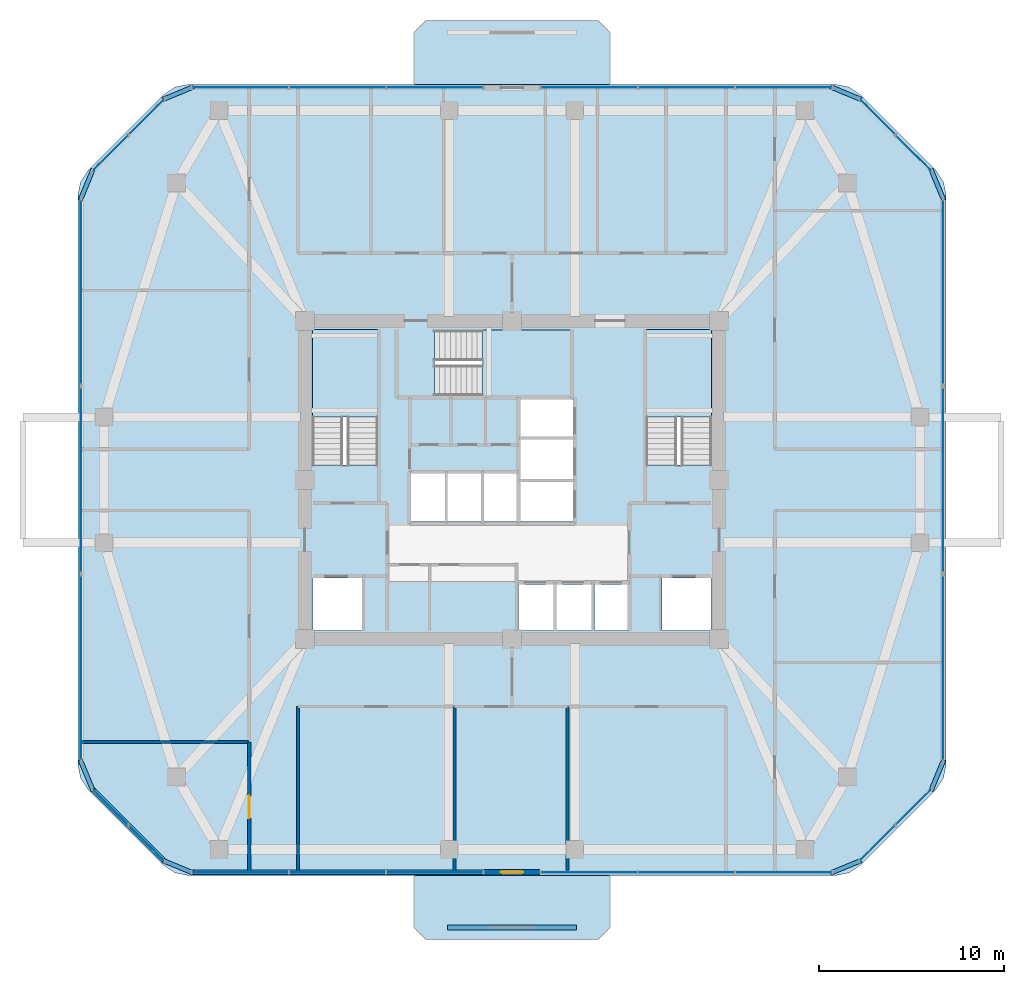
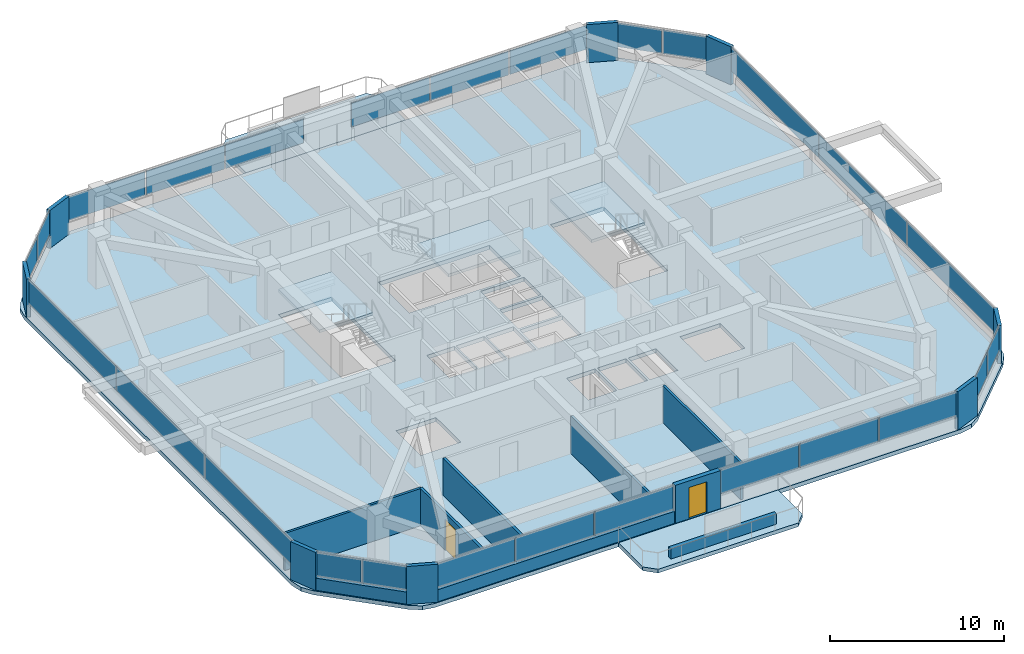
# One storey, part 6 of 12: 34 plates, 9 walls, 6 slabs, 2 doors, 2 openings, 13 elements without a shape of their own.
"""IFC4 building model written with IfcOpenShell, lengths in metres."""

from ifc_helpers import new_model, si_unit, derived_unit, direction, frame, frame_2d, origin, origin_2d, place, context, subcontext, project, spatial, polyline, rectangle, outline, extrude, material, layer, layer_set, type_object, element, fill, aggregate, save


model = new_model("IFC4")

# Units and contexts
model_context = context("Model", 3, precision=1e-05, world=origin(), true_north=direction((0.0, 1.0)))
body_context = subcontext(model_context, "Body", "Model", "MODEL_VIEW")
ifc_project = project(units=[si_unit("LENGTHUNIT", "METRE"), si_unit("AREAUNIT", "SQUARE_METRE"), si_unit("VOLUMEUNIT", "CUBIC_METRE"), si_unit("PLANEANGLEUNIT", "RADIAN"), si_unit("MASSUNIT", "GRAM", prefix="KILO"), derived_unit("THERMALTRANSMITTANCEUNIT", [(si_unit("POWERUNIT", "WATT"), 1), (si_unit("LENGTHUNIT", "METRE"), -2), (si_unit("THERMODYNAMICTEMPERATUREUNIT", "KELVIN"), -1)])], contexts=[model_context])

# Site, building, storey
site_placement = place(None, origin())
site = spatial("IfcSite", under=ifc_project, at=site_placement, CompositionType="ELEMENT")
building_placement = place(site_placement, origin())
building = spatial("IfcBuilding", under=site, at=building_placement, Name="Koralith Skygarden Medical Center", CompositionType="ELEMENT")
storey_placement = place(building_placement, frame((0.0, 0.0, 152.820068359375)))
storey = spatial("IfcBuildingStorey", under=building, at=storey_placement, Name="L39", CompositionType="ELEMENT", Elevation=152.820068359375)

# Curtain wall, plates
ifc_material_1 = material(Name="Clear Laminated Glass", Category="glass")
curtain_wall_type = type_object("IfcCurtainWallType", Name="CW-4 Zone 3 Waist High-Wind Curtain Wall", PredefinedType="NOTDEFINED", material=ifc_material_1)
curtain_wall_1_placement = place(storey_placement, origin())
curtain_wall_1 = element("IfcCurtainWall", 1, at=curtain_wall_1_placement, inside=storey, type_object=curtain_wall_type, Name="Curtain Wall CW-L39-S-L", PredefinedType="NOTDEFINED")
ifc_layer_1 = layer(ifc_material_1, 0.035888671875)
ifc_layer_set_1 = layer_set([ifc_layer_1], Name="Clear Laminated Glass")
plate_type_1 = type_object("IfcPlateType", Name="CW-4 Hurricane Laminated IGU Panel 36", PredefinedType="CURTAIN_PANEL", material=ifc_layer_set_1)
plate_1_placement = place(storey_placement, frame((22.302001953125, 4.679931640625, 0.919921875), z_axis=(0.0, 0.0, 1.0), x_axis=(1.0, 0.0, 0.0)))
plate_1 = element("IfcPlate", 2, at=plate_1_placement, type_object=plate_type_1, Name="CW-L39-S-L Glazed Panel 1", PredefinedType="CURTAIN_PANEL", context=body_context, shape_type="SweptSolid", body=[
    extrude(rectangle(XDim=5.173095703125, YDim=0.035888671875, at=origin_2d()), origin(), (0.0, 0.0, 1.0), 1.679931640625),
])
plate_2_placement = place(storey_placement, frame((27.56494140625, 4.679931640625, 0.919921875), z_axis=(0.0, 0.0, 1.0), x_axis=(1.0, 0.0, 0.0)))
plate_2 = element("IfcPlate", 3, at=plate_2_placement, type_object=plate_type_1, Name="CW-L39-S-L Glazed Panel 2", PredefinedType="CURTAIN_PANEL", context=body_context, shape_type="SweptSolid", body=[
    extrude(rectangle(XDim=5.173095703125, YDim=0.035888671875, at=origin_2d()), origin(), (0.0, 0.0, 1.0), 1.679931640625),
])
plate_3_placement = place(storey_placement, frame((32.827880859375, 4.679931640625, 0.919921875), z_axis=(0.0, 0.0, 1.0), x_axis=(1.0, 0.0, 0.0)))
plate_3 = element("IfcPlate", 4, at=plate_3_placement, type_object=plate_type_1, Name="CW-L39-S-L Glazed Panel 3", PredefinedType="CURTAIN_PANEL", context=body_context, shape_type="SweptSolid", body=[
    extrude(rectangle(XDim=5.173095703125, YDim=0.035888671875, at=origin_2d()), origin(), (0.0, 0.0, 1.0), 1.679931640625),
])
aggregate(curtain_wall_1, [plate_1, plate_2, plate_3])

curtain_wall_2_placement = place(storey_placement, origin())
curtain_wall_2 = element("IfcCurtainWall", 5, at=curtain_wall_2_placement, inside=storey, type_object=curtain_wall_type, Name="Curtain Wall CW-L39-S-R", PredefinedType="NOTDEFINED")
plate_4_placement = place(storey_placement, frame((41.1708984375, 4.679931640625, 0.919921875), z_axis=(0.0, 0.0, 1.0), x_axis=(1.0, 0.0, 0.0)))
plate_4 = element("IfcPlate", 6, at=plate_4_placement, type_object=plate_type_1, Name="CW-L39-S-R Glazed Panel 1", PredefinedType="CURTAIN_PANEL", context=body_context, shape_type="SweptSolid", body=[
    extrude(rectangle(XDim=5.173095703125, YDim=0.035888671875, at=origin_2d()), origin(), (0.0, 0.0, 1.0), 1.679931640625),
])
plate_5_placement = place(storey_placement, frame((46.43408203125, 4.679931640625, 0.919921875), z_axis=(0.0, 0.0, 1.0), x_axis=(1.0, 0.0, 0.0)))
plate_5 = element("IfcPlate", 7, at=plate_5_placement, type_object=plate_type_1, Name="CW-L39-S-R Glazed Panel 2", PredefinedType="CURTAIN_PANEL", context=body_context, shape_type="SweptSolid", body=[
    extrude(rectangle(XDim=5.173095703125, YDim=0.035888671875, at=origin_2d()), origin(), (0.0, 0.0, 1.0), 1.679931640625),
])
plate_6_placement = place(storey_placement, frame((51.697021484375, 4.679931640625, 0.919921875), z_axis=(0.0, 0.0, 1.0), x_axis=(1.0, 0.0, 0.0)))
plate_6 = element("IfcPlate", 8, at=plate_6_placement, type_object=plate_type_1, Name="CW-L39-S-R Glazed Panel 3", PredefinedType="CURTAIN_PANEL", context=body_context, shape_type="SweptSolid", body=[
    extrude(rectangle(XDim=5.173095703125, YDim=0.035888671875, at=origin_2d()), origin(), (0.0, 0.0, 1.0), 1.679931640625),
])
aggregate(curtain_wall_2, [plate_4, plate_5, plate_6])

curtain_wall_3_placement = place(storey_placement, origin())
curtain_wall_3 = element("IfcCurtainWall", 9, at=curtain_wall_3_placement, inside=storey, type_object=curtain_wall_type, Name="Curtain Wall CW-L39-SE", PredefinedType="NOTDEFINED")
plate_7_placement = place(storey_placement, frame((56.760986328125, 6.261962890625, 0.919921875), z_axis=(0.0, 0.0, 1.0), x_axis=(0.707106781187, 0.707106781187, 0.0)))
plate_7 = element("IfcPlate", 10, at=plate_7_placement, type_object=plate_type_1, Name="CW-L39-SE Glazed Panel 1", PredefinedType="CURTAIN_PANEL", context=body_context, shape_type="SweptSolid", body=[
    extrude(rectangle(XDim=2.68408203125, YDim=0.035888671875, at=origin_2d()), origin(), (0.0, 0.0, 1.0), 1.679931640625),
])
plate_8_placement = place(storey_placement, frame((58.721923828125, 8.222900390625, 0.919921875), z_axis=(0.0, 0.0, 1.0), x_axis=(0.707106781187, 0.707106781187, 0.0)))
plate_8 = element("IfcPlate", 11, at=plate_8_placement, type_object=plate_type_1, Name="CW-L39-SE Glazed Panel 2", PredefinedType="CURTAIN_PANEL", context=body_context, shape_type="SweptSolid", body=[
    extrude(rectangle(XDim=2.68408203125, YDim=0.035888671875, at=origin_2d()), origin(), (0.0, 0.0, 1.0), 1.679931640625),
])
aggregate(curtain_wall_3, [plate_7, plate_8])

curtain_wall_4_placement = place(storey_placement, origin())
curtain_wall_4 = element("IfcCurtainWall", 12, at=curtain_wall_4_placement, inside=storey, type_object=curtain_wall_type, Name="Curtain Wall CW-L39-E", PredefinedType="NOTDEFINED")
plate_9_placement = place(storey_placement, frame((60.303955078125, 15.737060546875, 0.919921875), z_axis=(0.0, 0.0, 1.0), x_axis=(0.0, 1.0, 0.0)))
plate_9 = element("IfcPlate", 13, at=plate_9_placement, type_object=plate_type_1, Name="CW-L39-E Glazed Panel 1", PredefinedType="CURTAIN_PANEL", context=body_context, shape_type="SweptSolid", body=[
    extrude(rectangle(XDim=10.072998046875, YDim=0.035888671875, at=origin_2d()), origin(), (0.0, 0.0, 1.0), 1.679931640625),
])
plate_10_placement = place(storey_placement, frame((60.303955078125, 25.89990234375, 0.919921875), z_axis=(0.0, 0.0, 1.0), x_axis=(0.0, 1.0, 0.0)))
plate_10 = element("IfcPlate", 14, at=plate_10_placement, type_object=plate_type_1, Name="CW-L39-E Glazed Panel 2", PredefinedType="CURTAIN_PANEL", context=body_context, shape_type="SweptSolid", body=[
    extrude(rectangle(XDim=10.072998046875, YDim=0.035888671875, at=origin_2d()), origin(), (0.0, 0.0, 1.0), 1.679931640625),
])
plate_11_placement = place(storey_placement, frame((60.303955078125, 36.06298828125, 0.919921875), z_axis=(0.0, 0.0, 1.0), x_axis=(0.0, 1.0, 0.0)))
plate_11 = element("IfcPlate", 15, at=plate_11_placement, type_object=plate_type_1, Name="CW-L39-E Glazed Panel 3", PredefinedType="CURTAIN_PANEL", context=body_context, shape_type="SweptSolid", body=[
    extrude(rectangle(XDim=10.072998046875, YDim=0.035888671875, at=origin_2d()), origin(), (0.0, 0.0, 1.0), 1.679931640625),
])
aggregate(curtain_wall_4, [plate_9, plate_10, plate_11])

curtain_wall_5_placement = place(storey_placement, origin())
curtain_wall_5 = element("IfcCurtainWall", 16, at=curtain_wall_5_placement, inside=storey, type_object=curtain_wall_type, Name="Curtain Wall CW-L39-NE", PredefinedType="NOTDEFINED")
plate_12_placement = place(storey_placement, frame((58.721923828125, 43.576904296875, 0.919921875), z_axis=(0.0, 0.0, 1.0), x_axis=(-0.707106781187, 0.707106781187, 0.0)))
plate_12 = element("IfcPlate", 17, at=plate_12_placement, type_object=plate_type_1, Name="CW-L39-NE Glazed Panel 1", PredefinedType="CURTAIN_PANEL", context=body_context, shape_type="SweptSolid", body=[
    extrude(rectangle(XDim=2.68408203125, YDim=0.035888671875, at=origin_2d()), origin(), (0.0, 0.0, 1.0), 1.679931640625),
])
plate_13_placement = place(storey_placement, frame((56.760986328125, 45.5380859375, 0.919921875), z_axis=(0.0, 0.0, 1.0), x_axis=(-0.707106781187, 0.707106781187, 0.0)))
plate_13 = element("IfcPlate", 18, at=plate_13_placement, type_object=plate_type_1, Name="CW-L39-NE Glazed Panel 2", PredefinedType="CURTAIN_PANEL", context=body_context, shape_type="SweptSolid", body=[
    extrude(rectangle(XDim=2.68408203125, YDim=0.035888671875, at=origin_2d()), origin(), (0.0, 0.0, 1.0), 1.679931640625),
])
aggregate(curtain_wall_5, [plate_12, plate_13])

curtain_wall_6_placement = place(storey_placement, origin())
curtain_wall_6 = element("IfcCurtainWall", 19, at=curtain_wall_6_placement, inside=storey, type_object=curtain_wall_type, Name="Curtain Wall CW-L39-N-L", PredefinedType="NOTDEFINED")
plate_14_placement = place(storey_placement, frame((51.697998046875, 47.1201171875, 0.919921875), z_axis=(0.0, 0.0, 1.0), x_axis=(-1.0, 0.0, 0.0)))
plate_14 = element("IfcPlate", 20, at=plate_14_placement, type_object=plate_type_1, Name="CW-L39-N-L Glazed Panel 1", PredefinedType="CURTAIN_PANEL", context=body_context, shape_type="SweptSolid", body=[
    extrude(rectangle(XDim=5.173095703125, YDim=0.035888671875, at=origin_2d()), origin(), (0.0, 0.0, 1.0), 1.679931640625),
])
plate_15_placement = place(storey_placement, frame((46.43505859375, 47.1201171875, 0.919921875), z_axis=(0.0, 0.0, 1.0), x_axis=(-1.0, 0.0, 0.0)))
plate_15 = element("IfcPlate", 21, at=plate_15_placement, type_object=plate_type_1, Name="CW-L39-N-L Glazed Panel 2", PredefinedType="CURTAIN_PANEL", context=body_context, shape_type="SweptSolid", body=[
    extrude(rectangle(XDim=5.173095703125, YDim=0.035888671875, at=origin_2d()), origin(), (0.0, 0.0, 1.0), 1.679931640625),
])
plate_16_placement = place(storey_placement, frame((41.172119140625, 47.1201171875, 0.919921875), z_axis=(0.0, 0.0, 1.0), x_axis=(-1.0, 0.0, 0.0)))
plate_16 = element("IfcPlate", 22, at=plate_16_placement, type_object=plate_type_1, Name="CW-L39-N-L Glazed Panel 3", PredefinedType="CURTAIN_PANEL", context=body_context, shape_type="SweptSolid", body=[
    extrude(rectangle(XDim=5.173095703125, YDim=0.035888671875, at=origin_2d()), origin(), (0.0, 0.0, 1.0), 1.679931640625),
])
aggregate(curtain_wall_6, [plate_14, plate_15, plate_16])

curtain_wall_7_placement = place(storey_placement, origin())
curtain_wall_7 = element("IfcCurtainWall", 23, at=curtain_wall_7_placement, inside=storey, type_object=curtain_wall_type, Name="Curtain Wall CW-L39-N-R", PredefinedType="NOTDEFINED")
plate_17_placement = place(storey_placement, frame((32.8291015625, 47.1201171875, 0.919921875), z_axis=(0.0, 0.0, 1.0), x_axis=(-1.0, 0.0, 0.0)))
plate_17 = element("IfcPlate", 24, at=plate_17_placement, type_object=plate_type_1, Name="CW-L39-N-R Glazed Panel 1", PredefinedType="CURTAIN_PANEL", context=body_context, shape_type="SweptSolid", body=[
    extrude(rectangle(XDim=5.173095703125, YDim=0.035888671875, at=origin_2d()), origin(), (0.0, 0.0, 1.0), 1.679931640625),
])
plate_18_placement = place(storey_placement, frame((27.56591796875, 47.1201171875, 0.919921875), z_axis=(0.0, 0.0, 1.0), x_axis=(-1.0, 0.0, 0.0)))
plate_18 = element("IfcPlate", 25, at=plate_18_placement, type_object=plate_type_1, Name="CW-L39-N-R Glazed Panel 2", PredefinedType="CURTAIN_PANEL", context=body_context, shape_type="SweptSolid", body=[
    extrude(rectangle(XDim=5.173095703125, YDim=0.035888671875, at=origin_2d()), origin(), (0.0, 0.0, 1.0), 1.679931640625),
])
plate_19_placement = place(storey_placement, frame((22.302978515625, 47.1201171875, 0.919921875), z_axis=(0.0, 0.0, 1.0), x_axis=(-1.0, 0.0, 0.0)))
plate_19 = element("IfcPlate", 26, at=plate_19_placement, type_object=plate_type_1, Name="CW-L39-N-R Glazed Panel 3", PredefinedType="CURTAIN_PANEL", context=body_context, shape_type="SweptSolid", body=[
    extrude(rectangle(XDim=5.173095703125, YDim=0.035888671875, at=origin_2d()), origin(), (0.0, 0.0, 1.0), 1.679931640625),
])
aggregate(curtain_wall_7, [plate_17, plate_18, plate_19])

curtain_wall_8_placement = place(storey_placement, origin())
curtain_wall_8 = element("IfcCurtainWall", 27, at=curtain_wall_8_placement, inside=storey, type_object=curtain_wall_type, Name="Curtain Wall CW-L39-NW", PredefinedType="NOTDEFINED")
plate_20_placement = place(storey_placement, frame((17.239013671875, 45.5380859375, 0.919921875), z_axis=(0.0, 0.0, 1.0), x_axis=(-0.707106781187, -0.707106781187, 0.0)))
plate_20 = element("IfcPlate", 28, at=plate_20_placement, type_object=plate_type_1, Name="CW-L39-NW Glazed Panel 1", PredefinedType="CURTAIN_PANEL", context=body_context, shape_type="SweptSolid", body=[
    extrude(rectangle(XDim=2.68408203125, YDim=0.035888671875, at=origin_2d()), origin(), (0.0, 0.0, 1.0), 1.679931640625),
])
plate_21_placement = place(storey_placement, frame((15.278076171875, 43.576904296875, 0.919921875), z_axis=(0.0, 0.0, 1.0), x_axis=(-0.707106781187, -0.707106781187, 0.0)))
plate_21 = element("IfcPlate", 29, at=plate_21_placement, type_object=plate_type_1, Name="CW-L39-NW Glazed Panel 2", PredefinedType="CURTAIN_PANEL", context=body_context, shape_type="SweptSolid", body=[
    extrude(rectangle(XDim=2.68408203125, YDim=0.035888671875, at=origin_2d()), origin(), (0.0, 0.0, 1.0), 1.679931640625),
])
aggregate(curtain_wall_8, [plate_20, plate_21])

curtain_wall_9_placement = place(storey_placement, origin())
curtain_wall_9 = element("IfcCurtainWall", 30, at=curtain_wall_9_placement, inside=storey, type_object=curtain_wall_type, Name="Curtain Wall CW-L39-W", PredefinedType="NOTDEFINED")
plate_22_placement = place(storey_placement, frame((13.696044921875, 36.06298828125, 0.919921875), z_axis=(0.0, 0.0, 1.0), x_axis=(0.0, -1.0, 0.0)))
plate_22 = element("IfcPlate", 31, at=plate_22_placement, type_object=plate_type_1, Name="CW-L39-W Glazed Panel 1", PredefinedType="CURTAIN_PANEL", context=body_context, shape_type="SweptSolid", body=[
    extrude(rectangle(XDim=10.072998046875, YDim=0.035888671875, at=origin_2d()), origin(), (0.0, 0.0, 1.0), 1.679931640625),
])
plate_23_placement = place(storey_placement, frame((13.696044921875, 25.89990234375, 0.919921875), z_axis=(0.0, 0.0, 1.0), x_axis=(0.0, -1.0, 0.0)))
plate_23 = element("IfcPlate", 32, at=plate_23_placement, type_object=plate_type_1, Name="CW-L39-W Glazed Panel 2", PredefinedType="CURTAIN_PANEL", context=body_context, shape_type="SweptSolid", body=[
    extrude(rectangle(XDim=10.072998046875, YDim=0.035888671875, at=origin_2d()), origin(), (0.0, 0.0, 1.0), 1.679931640625),
])
plate_24_placement = place(storey_placement, frame((13.696044921875, 15.737060546875, 0.919921875), z_axis=(0.0, 0.0, 1.0), x_axis=(0.0, -1.0, 0.0)))
plate_24 = element("IfcPlate", 33, at=plate_24_placement, type_object=plate_type_1, Name="CW-L39-W Glazed Panel 3", PredefinedType="CURTAIN_PANEL", context=body_context, shape_type="SweptSolid", body=[
    extrude(rectangle(XDim=10.072998046875, YDim=0.035888671875, at=origin_2d()), origin(), (0.0, 0.0, 1.0), 1.679931640625),
])
aggregate(curtain_wall_9, [plate_22, plate_23, plate_24])

curtain_wall_10_placement = place(storey_placement, origin())
curtain_wall_10 = element("IfcCurtainWall", 34, at=curtain_wall_10_placement, inside=storey, type_object=curtain_wall_type, Name="Curtain Wall CW-L39-SW", PredefinedType="NOTDEFINED")
plate_25_placement = place(storey_placement, frame((15.278076171875, 8.222900390625, 0.919921875), z_axis=(0.0, 0.0, 1.0), x_axis=(0.707106781187, -0.707106781187, 0.0)))
plate_25 = element("IfcPlate", 35, at=plate_25_placement, type_object=plate_type_1, Name="CW-L39-SW Glazed Panel 1", PredefinedType="CURTAIN_PANEL", context=body_context, shape_type="SweptSolid", body=[
    extrude(rectangle(XDim=2.68408203125, YDim=0.035888671875, at=origin_2d()), origin(), (0.0, 0.0, 1.0), 1.679931640625),
])
plate_26_placement = place(storey_placement, frame((17.239013671875, 6.261962890625, 0.919921875), z_axis=(0.0, 0.0, 1.0), x_axis=(0.707106781187, -0.707106781187, 0.0)))
plate_26 = element("IfcPlate", 36, at=plate_26_placement, type_object=plate_type_1, Name="CW-L39-SW Glazed Panel 2", PredefinedType="CURTAIN_PANEL", context=body_context, shape_type="SweptSolid", body=[
    extrude(rectangle(XDim=2.68408203125, YDim=0.035888671875, at=origin_2d()), origin(), (0.0, 0.0, 1.0), 1.679931640625),
])
aggregate(curtain_wall_10, [plate_25, plate_26])

# Slabs
ifc_material_2 = material(Name="Concrete C45/55", Category="concrete")
ifc_layer_2 = layer(ifc_material_2, 0.260009765625)
ifc_layer_set_2 = layer_set([ifc_layer_2], Name="Concrete C45/55")
slab_type_1 = type_object("IfcSlabType", Name="Cantilevered Planted Balcony Slab 260", PredefinedType="FLOOR", material=ifc_layer_set_2)
slab_1_placement = place(storey_placement, frame((0.0, 0.0, -0.260009765625)))
element("IfcSlab", 37, at=slab_1_placement, inside=storey, type_object=slab_type_1, Name="L39 N Planted Sky-Garden Balcony Slab", PredefinedType="FLOOR", context=body_context, shape_type="SweptSolid", body=[
    extrude(outline(polyline([(31.699951171875, 47.300048828125), (42.300048828125, 47.300048828125), (42.300048828125, 50.10009765625), (41.64990234375, 50.75), (32.35009765625, 50.75), (31.699951171875, 50.10009765625), (31.699951171875, 47.300048828125)])), origin(), (0.0, 0.0, 1.0), 0.260009765625),
])
slab_2_placement = place(storey_placement, frame((0.0, 0.0, -0.260009765625)))
element("IfcSlab", 38, at=slab_2_placement, inside=storey, type_object=slab_type_1, Name="L39 S Planted Sky-Garden Balcony Slab", PredefinedType="FLOOR", context=body_context, shape_type="SweptSolid", body=[
    extrude(outline(polyline([(32.35009765625, 1.050048828125), (41.64990234375, 1.050048828125), (42.300048828125, 1.699951171875), (42.300048828125, 4.5), (31.699951171875, 4.5), (31.699951171875, 1.699951171875), (32.35009765625, 1.050048828125)])), origin(), (0.0, 0.0, 1.0), 0.260009765625),
])

# Stair, slab
stair_type = type_object("IfcStairType", Name="Core Exit Dogleg Concrete Stair", PredefinedType="HALF_TURN_STAIR", material=ifc_material_2)
stair_1_placement = place(storey_placement, origin())
stair_1 = element("IfcStair", 39, at=stair_1_placement, inside=storey, type_object=stair_type, Name="L39 Smokeproof Exit Stair ST1", PredefinedType="HALF_TURN_STAIR")
ifc_layer_3 = layer(ifc_material_2, 0.199951171875)
ifc_layer_set_3 = layer_set([ifc_layer_3], Name="Concrete C45/55")
slab_type_2 = type_object("IfcSlabType", Name="Core Exit Concrete Stair Landing 200", PredefinedType="LANDING", material=ifc_layer_set_3)
slab_3_placement = place(storey_placement, frame((0.0, 0.0, 1.599853515625)))
slab_3 = element("IfcSlab", 40, at=slab_3_placement, type_object=slab_type_2, Name="ST1 landing 1", PredefinedType="LANDING", context=body_context, shape_type="SweptSolid", body=[
    extrude(outline(polyline([(29.75, 29.31005859375), (29.75, 34.050048828125), (26.199951171875, 34.050048828125), (26.199951171875, 29.31005859375), (29.75, 29.31005859375)])), origin(), (0.0, 0.0, 1.0), 0.2001953125),
])
aggregate(stair_1, [slab_3])

stair_2_placement = place(storey_placement, origin())
stair_2 = element("IfcStair", 41, at=stair_2_placement, inside=storey, type_object=stair_type, Name="L39 Smokeproof Exit Stair ST2", PredefinedType="HALF_TURN_STAIR")
slab_4_placement = place(storey_placement, frame((0.0, 0.0, 1.599853515625)))
slab_4 = element("IfcSlab", 42, at=slab_4_placement, type_object=slab_type_2, Name="ST2 landing 1", PredefinedType="LANDING", context=body_context, shape_type="SweptSolid", body=[
    extrude(outline(polyline([(47.800048828125, 29.31005859375), (47.800048828125, 34.050048828125), (44.25, 34.050048828125), (44.25, 29.31005859375), (47.800048828125, 29.31005859375)])), origin(), (0.0, 0.0, 1.0), 0.2001953125),
])
aggregate(stair_2, [slab_4])

stair_3_placement = place(storey_placement, origin())
stair_3 = element("IfcStair", 43, at=stair_3_placement, inside=storey, type_object=stair_type, Name="L39 Smokeproof Exit Stair ST3", PredefinedType="HALF_TURN_STAIR")
slab_5_placement = place(storey_placement, frame((0.0, 0.0, 1.599853515625)))
slab_5 = element("IfcSlab", 44, at=slab_5_placement, type_object=slab_type_2, Name="ST3 landing 1", PredefinedType="LANDING", context=body_context, shape_type="SweptSolid", body=[
    extrude(outline(polyline([(35.409912109375, 30.449951171875), (40.199951171875, 30.449951171875), (40.199951171875, 34.0), (35.409912109375, 34.0), (35.409912109375, 30.449951171875)])), origin(), (0.0, 0.0, 1.0), 0.2001953125),
])
aggregate(stair_3, [slab_5])

# Slab
ifc_layer_4 = layer(ifc_material_2, 0.280029296875)
ifc_layer_set_4 = layer_set([ifc_layer_4], Name="Concrete C45/55")
slab_type_3 = type_object("IfcSlabType", Name="Post-Tensioned Ward Floor Plate 280", PredefinedType="FLOOR", material=ifc_layer_set_4)
slab_6_placement = place(storey_placement, frame((0.0, 0.0, -0.280029296875)))
element("IfcSlab", 45, at=slab_6_placement, inside=storey, type_object=slab_type_3, Name="Level L39 Structural Floor Slab", PredefinedType="FLOOR", context=body_context, shape_type="SweptSolid", body=[
    extrude(outline(polyline([(18.1298828125, 5.0859375), (18.779052734375, 4.652099609375), (19.5439453125, 4.5), (54.4560546875, 4.5), (55.220947265625, 4.652099609375), (55.8701171875, 5.0859375), (59.89794921875, 9.114013671875), (60.33203125, 9.762939453125), (60.48388671875, 10.528076171875), (60.48388671875, 41.27197265625), (60.33203125, 42.037109375), (59.89794921875, 42.68603515625), (55.8701171875, 46.714111328125), (55.220947265625, 47.14794921875), (54.4560546875, 47.300048828125), (19.5439453125, 47.300048828125), (18.779052734375, 47.14794921875), (18.1298828125, 46.714111328125), (14.10205078125, 42.68603515625), (13.66796875, 42.037109375), (13.51611328125, 41.27197265625), (13.51611328125, 10.528076171875), (13.66796875, 9.762939453125), (14.10205078125, 9.114013671875), (18.1298828125, 5.0859375)]), holes=[polyline([(26.199951171875, 26.705078125), (29.75, 26.705078125), (29.75, 34.050048828125), (26.199951171875, 34.050048828125), (26.199951171875, 26.705078125)]), polyline([(44.25, 26.705078125), (47.800048828125, 26.705078125), (47.800048828125, 34.050048828125), (44.25, 34.050048828125), (44.25, 26.705078125)]), polyline([(32.804931640625, 30.449951171875), (40.199951171875, 30.449951171875), (40.199951171875, 34.0), (32.804931640625, 34.0), (32.804931640625, 30.449951171875)]), polyline([(26.25, 17.75), (28.89990234375, 17.75), (28.89990234375, 20.60009765625), (26.25, 20.60009765625), (26.25, 17.75)]), polyline([(45.10009765625, 17.75), (47.75, 17.75), (47.75, 20.60009765625), (45.10009765625, 20.60009765625), (45.10009765625, 17.75)]), polyline([(37.35009765625, 17.75), (39.25, 17.75), (39.25, 20.25), (37.35009765625, 20.25), (37.35009765625, 17.75)]), polyline([(39.39990234375, 17.75), (41.300048828125, 17.75), (41.300048828125, 20.25), (39.39990234375, 20.25), (39.39990234375, 17.75)]), polyline([(41.449951171875, 17.75), (43.300048828125, 17.75), (43.300048828125, 20.25), (41.449951171875, 20.25), (41.449951171875, 17.75)]), polyline([(31.550048828125, 23.64990234375), (33.39990234375, 23.64990234375), (33.39990234375, 26.25), (31.550048828125, 26.25), (31.550048828125, 23.64990234375)]), polyline([(33.5, 23.64990234375), (35.35009765625, 23.64990234375), (35.35009765625, 26.25), (33.5, 26.25), (33.5, 23.64990234375)]), polyline([(35.449951171875, 23.64990234375), (37.300048828125, 23.64990234375), (37.300048828125, 26.25), (35.449951171875, 26.25), (35.449951171875, 23.64990234375)]), polyline([(37.449951171875, 23.64990234375), (40.300048828125, 23.64990234375), (40.300048828125, 25.800048828125), (37.449951171875, 25.800048828125), (37.449951171875, 23.64990234375)]), polyline([(37.449951171875, 25.949951171875), (40.300048828125, 25.949951171875), (40.300048828125, 28.10009765625), (37.449951171875, 28.10009765625), (37.449951171875, 25.949951171875)]), polyline([(37.449951171875, 28.25), (40.300048828125, 28.25), (40.300048828125, 30.25), (37.449951171875, 30.25), (37.449951171875, 28.25)])]), origin(), (0.0, 0.0, 1.0), 0.280029296875),
])

# Plates
ifc_material_3 = material(Name="Warm Oolitic Limestone Cladding", Category="masonry")
ifc_layer_5 = layer(ifc_material_3, 0.239990234375)
ifc_layer_set_5 = layer_set([ifc_layer_5], Name="Warm Oolitic Limestone Cladding")
plate_type_2 = type_object("IfcPlateType", Name="Rounded-Corner Oolitic Limestone Cladding Panel 240", PredefinedType="USERDEFINED", material=ifc_layer_set_5)
for number, where, z_axis, x_axis, name in (
    (46, (55.054931640625, 4.97998046875, 0.0), (0.0, 0.0, 1.0), (0.92388487569, 0.382670532536, 0.0), "L39 Rounded-Corner Limestone Pier 1"),
    (47, (60.00390625, 9.929931640625, 0.0), (0.0, 0.0, 1.0), (0.382670532536, 0.92388487569, 0.0), "L39 Rounded-Corner Limestone Pier 2"),
    (48, (60.00390625, 41.8701171875, 0.0), (0.0, 0.0, 1.0), (-0.382670532536, 0.92388487569, 0.0), "L39 Rounded-Corner Limestone Pier 3"),
    (49, (55.054931640625, 46.819091796875, 0.0), (0.0, 0.0, 1.0), (-0.92388487569, 0.382670532536, 0.0), "L39 Rounded-Corner Limestone Pier 4"),
    (50, (18.945068359375, 46.819091796875, 0.0), (0.0, 0.0, 1.0), (-0.92388487569, -0.382670532536, 0.0), "L39 Rounded-Corner Limestone Pier 5"),
    (51, (13.9970703125, 41.8701171875, 0.0), (0.0, 0.0, 1.0), (-0.382670532536, -0.92388487569, 0.0), "L39 Rounded-Corner Limestone Pier 6"),
    (52, (13.9970703125, 9.929931640625, 0.0), (0.0, 0.0, 1.0), (0.382670532536, -0.92388487569, 0.0), "L39 Rounded-Corner Limestone Pier 7"),
    (53, (18.945068359375, 4.97998046875, 0.0), (0.0, 0.0, 1.0), (0.92388487569, -0.382670532536, 0.0), "L39 Rounded-Corner Limestone Pier 8"),
):
    element("IfcPlate", number, at=place(storey_placement, frame(where, z_axis=z_axis, x_axis=x_axis)), inside=storey, type_object=plate_type_2, Name=name, ObjectType="LIMESTONE CLADDING", PredefinedType="USERDEFINED", context=body_context, shape_type="SweptSolid", body=[
        extrude(rectangle(XDim=1.81103515625, YDim=0.239990234375, at=origin_2d()), origin(), (0.0, 0.0, 1.0), 2.669921875),
    ])

# Walls
ifc_material_4 = material(Name="Gypsum Board Partition")
ifc_layer_6 = layer(ifc_material_4, 0.14990234375)
ifc_layer_set_6 = layer_set([ifc_layer_6], Name="Gypsum Board Partition")
wall_type_1 = type_object("IfcWallType", Name="Clinical Acoustic Partition 150", PredefinedType="PARTITIONING", material=ifc_layer_set_6)
for number, where, z_axis, x_axis, name in (
    (54, (33.887939453125, 13.639892578125, 0.0), (0.0, 0.0, 1.0), (0.0, -1.0, 0.0), "L39 Clinical Acoustic Partition 150 W-PART-L39-S-01"),
    (55, (40.006103515625, 13.639892578125, 0.0), (0.0, 0.0, 1.0), (0.0, -1.0, 0.0), "L39 Clinical Acoustic Partition 150 W-PART-L39-S-02"),
):
    element("IfcWall", number, at=place(storey_placement, frame(where, z_axis=z_axis, x_axis=x_axis)), inside=storey, type_object=wall_type_1, Name=name, PredefinedType="PARTITIONING", context=body_context, shape_type="SweptSolid", body=[
        extrude(rectangle(XDim=8.93994140625, YDim=0.14990234375, at=frame_2d((4.469970703125, 0.0))), origin(), (0.0, 0.0, 1.0), 2.60986328125),
    ])
wall_1_placement = place(storey_placement, frame((22.7900390625, 11.73388671875, 0.0), z_axis=(0.0, 0.0, 1.0), x_axis=(-1.0, 0.0, 0.0)))
element("IfcWall", 56, at=wall_1_placement, inside=storey, type_object=wall_type_1, Name="L39 Clinical Acoustic Partition 150 W-PART-L39-WS-01", PredefinedType="PARTITIONING", context=body_context, shape_type="SweptSolid", body=[
    extrude(rectangle(XDim=9.073974609375, YDim=0.14990234375, at=frame_2d((4.537109375, 0.0))), origin(), (0.0, 0.0, 1.0), 2.60986328125),
])
ifc_layer_7 = layer(ifc_material_4, 0.1650390625)
ifc_layer_set_7 = layer_set([ifc_layer_7], Name="Gypsum Board Partition")
wall_type_2 = type_object("IfcWallType", Name="Clinical Corridor Partition 165", PredefinedType="PARTITIONING", material=ifc_layer_set_7)
wall_2_placement = place(storey_placement, frame((25.429931640625, 4.699951171875, 0.0), z_axis=(0.0, 0.0, 1.0), x_axis=(0.0, 1.0, 0.0)))
element("IfcWall", 57, at=wall_2_placement, inside=storey, type_object=wall_type_2, Name="L39 Clinical Corridor Partition 165 W-HCOR-L39-SW", PredefinedType="PARTITIONING", context=body_context, shape_type="SweptSolid", body=[
    extrude(rectangle(XDim=8.93994140625, YDim=0.1650390625, at=frame_2d((4.469970703125, 0.0))), origin(), (0.0, 0.0, 1.0), 2.60986328125),
])

# Wall, opening, door
wall_3_placement = place(storey_placement, frame((22.7900390625, 4.699951171875, 0.0), z_axis=(0.0, 0.0, 1.0), x_axis=(0.0, 1.0, 0.0)))
wall_3 = element("IfcWall", 58, at=wall_3_placement, inside=storey, type_object=wall_type_2, Name="L39 Clinical Corridor Partition 165 W-CORR-L39-WS-01", PredefinedType="PARTITIONING", context=body_context, shape_type="SweptSolid", body=[
    extrude(rectangle(XDim=7.033935546875, YDim=0.1650390625, at=frame_2d((3.51708984375, 0.0))), origin(), (0.0, 0.0, 1.0), 2.60986328125),
])
opening_1_placement = place(wall_3_placement, frame((2.9169921875, 0.0, 0.0)))
opening_1 = element("IfcOpeningElement", 59, at=opening_1_placement, cuts=wall_3, Name="Opening D-CLN", PredefinedType="OPENING", context=body_context, shape_type="SweptSolid", body=[
    extrude(rectangle(XDim=1.199951171875, YDim=2.14990234375, at=frame_2d((0.60009765625, 1.074951171875))), frame((0.0, 0.092529296875, 0.0), z_axis=(0.0, -1.0, 0.0), x_axis=(1.0, 0.0, 0.0)), (0.0, 0.0, 1.0), 0.18505859375),
])
ifc_material_5 = material(Name="Aluminium 6063-T6", Category="aluminium")
door_type_1 = type_object("IfcDoorType", Name="Clinical Corridor Door D-CLN 1200", OperationType="NOTDEFINED", PredefinedType="DOOR", material=ifc_material_5)
door_1_placement = place(opening_1_placement, frame((1.199951171875, 0.0, 0.0), z_axis=(0.0, 0.0, 1.0), x_axis=(-1.0, 0.0, 0.0)))
door_1 = element("IfcDoor", 60, at=door_1_placement, inside=storey, type_object=door_type_1, Name="L39 Clinical Consultation Office 10 Door", OperationType="SINGLE_SWING_LEFT", OverallHeight=2.14990234375, OverallWidth=1.199951171875, PredefinedType="DOOR", context=body_context, shape_type="SweptSolid", body=[
    extrude(rectangle(XDim=1.199951171875, YDim=2.14990234375, at=frame_2d((0.60009765625, 1.074951171875))), frame((0.0, 0.02490234375, 0.0), z_axis=(0.0, -1.0, 0.0), x_axis=(1.0, 0.0, 0.0)), (0.0, 0.0, 1.0), 0.050048828125),
])
fill(opening_1, door_1)

# Walls
ifc_layer_8 = layer(ifc_material_3, 0.239990234375)
ifc_layer_set_8 = layer_set([ifc_layer_8], Name="Warm Oolitic Limestone Cladding")
wall_type_3 = type_object("IfcWallType", Name="Limestone Spandrel Sill Backup Wall 240", PredefinedType="SOLIDWALL", material=ifc_layer_set_8)
wall_4_placement = place(storey_placement, frame((19.6708984375, 4.679931640625, 0.0), z_axis=(0.0, 0.0, 1.0), x_axis=(1.0, 0.0, 0.0)))
element("IfcWall", 61, at=wall_4_placement, inside=storey, type_object=wall_type_3, Name="L39 Sill Spandrel S-L", PredefinedType="SOLIDWALL", context=body_context, shape_type="SweptSolid", body=[
    extrude(rectangle(XDim=15.7880859375, YDim=0.239990234375, at=frame_2d((7.89404296875, 0.0))), origin(), (0.0, 0.0, 1.0), 0.849853515625),
])
wall_5_placement = place(storey_placement, frame((14.297119140625, 9.2041015625, 0.0), z_axis=(0.0, 0.0, 1.0), x_axis=(0.707084777957, -0.707128783731, 0.0)))
element("IfcWall", 62, at=wall_5_placement, inside=storey, type_object=wall_type_3, Name="L39 Sill Spandrel SW", PredefinedType="SOLIDWALL", context=body_context, shape_type="SweptSolid", body=[
    extrude(rectangle(XDim=5.5478515625, YDim=0.239990234375, at=frame_2d((2.77392578125, 0.0))), origin(), (0.0, 0.0, 1.0), 0.849853515625),
])

# Wall, opening, door
ifc_layer_9 = layer(ifc_material_3, 0.300048828125)
ifc_layer_set_9 = layer_set([ifc_layer_9], Name="Warm Oolitic Limestone Cladding")
wall_type_4 = type_object("IfcWallType", Name="Oolitic Limestone Insulated Facade Wall 300", PredefinedType="SOLIDWALL", material=ifc_layer_set_9)
wall_6_placement = place(storey_placement, frame((35.4990234375, 4.679931640625, 0.0), z_axis=(0.0, 0.0, 1.0), x_axis=(1.0, 0.0, 0.0)))
wall_6 = element("IfcWall", 63, at=wall_6_placement, inside=storey, type_object=wall_type_4, Name="L39 Terrace Portal Wall S", PredefinedType="SOLIDWALL", context=body_context, shape_type="SweptSolid", body=[
    extrude(rectangle(XDim=3.0, YDim=0.300048828125, at=frame_2d((1.5, 0.0))), origin(), (0.0, 0.0, 1.0), 2.669921875),
])
opening_2_placement = place(wall_6_placement, frame((0.89990234375, 0.0, 0.0)))
opening_2 = element("IfcOpeningElement", 64, at=opening_2_placement, cuts=wall_6, Name="Opening D-BAL", PredefinedType="OPENING", context=body_context, shape_type="SweptSolid", body=[
    extrude(rectangle(XDim=1.199951171875, YDim=2.199951171875, at=frame_2d((0.60009765625, 1.10009765625))), frame((0.0, 0.159912109375, 0.0), z_axis=(0.0, -1.0, 0.0), x_axis=(1.0, 0.0, 0.0)), (0.0, 0.0, 1.0), 0.320068359375),
])
door_type_2 = type_object("IfcDoorType", Name="Planted Balcony Glazed Terrace Door D-BAL 1200", OperationType="NOTDEFINED", PredefinedType="DOOR", material=ifc_material_5)
door_2_placement = place(opening_2_placement, origin())
door_2 = element("IfcDoor", 65, at=door_2_placement, inside=storey, type_object=door_type_2, Name="L39 S Outdoor Terrace Access Door", OperationType="SINGLE_SWING_RIGHT", OverallHeight=2.199951171875, OverallWidth=1.199951171875, PredefinedType="DOOR", context=body_context, shape_type="SweptSolid", body=[
    extrude(rectangle(XDim=1.199951171875, YDim=2.199951171875, at=frame_2d((0.60009765625, 1.10009765625))), frame((0.0, 0.02490234375, 0.0), z_axis=(0.0, -1.0, 0.0), x_axis=(1.0, 0.0, 0.0)), (0.0, 0.0, 1.0), 0.050048828125),
])
fill(opening_2, door_2)

# Wall
ifc_material_6 = material(Name="Precast concrete C40/50", Category="concrete")
ifc_layer_10 = layer(ifc_material_6, 0.25)
ifc_layer_set_10 = layer_set([ifc_layer_10], Name="Precast concrete C40/50")
wall_type_5 = type_object("IfcWallType", Name="Structural Concrete Balcony Planter Kerb 250", PredefinedType="PARAPET", material=ifc_layer_set_10)
wall_7_placement = place(storey_placement, frame((33.5, 1.699951171875, 0.0), z_axis=(0.0, 0.0, 1.0), x_axis=(1.0, 0.0, 0.0)))
element("IfcWall", 66, at=wall_7_placement, inside=storey, type_object=wall_type_5, Name="L39 S Structural Tree PLANTER Box", PredefinedType="PARAPET", context=body_context, shape_type="SweptSolid", body=[
    extrude(rectangle(XDim=7.0, YDim=0.25, at=frame_2d((3.5, 0.0))), origin(), (0.0, 0.0, 1.0), 0.719970703125),
])

save(model, "model.ifc")
